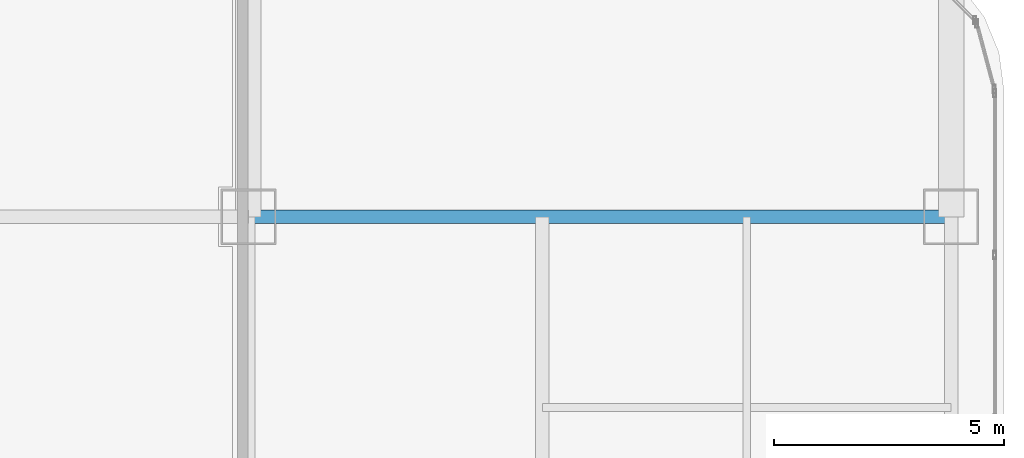
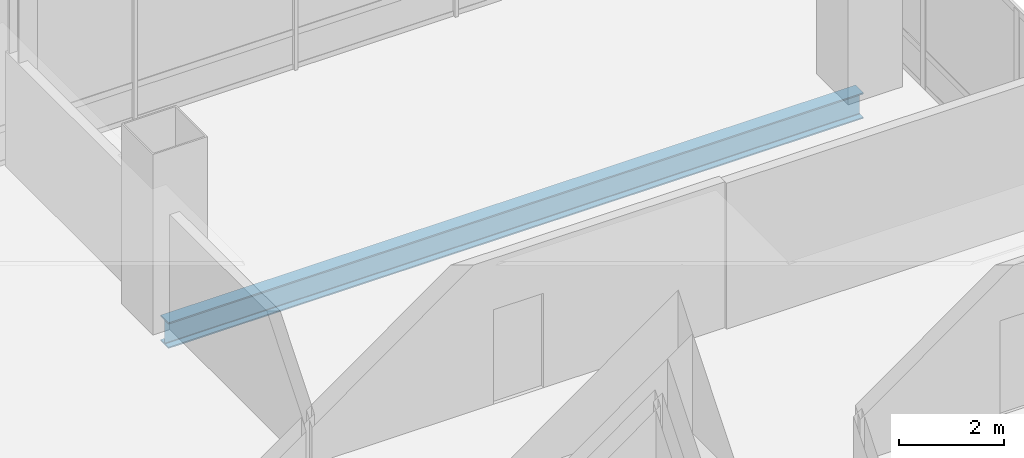
# One storey, part 28 of 41: 1 beam.
"""IFC4 building model written with IfcOpenShell, lengths in metres."""

from ifc_helpers import new_model, si_unit, direction, frame, origin, origin_2d, place, context, subcontext, project, spatial, i_section, extrude, material, material_profile, profile_set, type_object, element, save


model = new_model("IFC4")

# Units and contexts
model_context = context("Model", 3, precision=1e-05, world=origin(), true_north=direction((0.0, 1.0)))
body_context = subcontext(model_context, "Body", "Model", "MODEL_VIEW")
ifc_project = project(units=[si_unit("LENGTHUNIT", "METRE"), si_unit("AREAUNIT", "SQUARE_METRE"), si_unit("VOLUMEUNIT", "CUBIC_METRE"), si_unit("PLANEANGLEUNIT", "RADIAN"), si_unit("MASSUNIT", "GRAM", prefix="KILO")], contexts=[model_context])

# Site, building, storey
site_placement = place(None, origin())
site = spatial("IfcSite", under=ifc_project, at=site_placement, CompositionType="ELEMENT")
building_placement = place(site_placement, origin())
building = spatial("IfcBuilding", under=site, at=building_placement, Name="Punatoya Terracotta Tower", CompositionType="ELEMENT")
storey_placement = place(building_placement, frame((0.0, 0.0, 288.0)))
storey = spatial("IfcBuildingStorey", under=building, at=storey_placement, Name="L68", CompositionType="ELEMENT", Elevation=288.0)

# Beam
ifc_material = material(Name="Steel S355", Category="steel")
ifc_material_profile = material_profile(ifc_material, i_section(OverallWidth=0.300048828125, OverallDepth=0.60009765625, WebThickness=0.015380859375, FlangeThickness=0.030029296875, FilletRadius=0.01806640625, at=origin_2d()))
ifc_profile_set = profile_set([ifc_material_profile], Name="Steel S355")
beam_type = type_object("IfcBeamType", Name="BM-PRI-600", PredefinedType="BEAM", material=ifc_profile_set)
beam_placement = place(storey_placement, frame((3.800048828125, 17.5, -0.5), z_axis=(1.0, 0.0, 0.0), x_axis=(0.0, 1.0, 0.0)))
element("IfcBeam", 1, at=beam_placement, inside=storey, type_object=beam_type, Name="BM-L68-RG-N3", PredefinedType="BEAM", context=body_context, shape_type="SweptSolid", body=[
    extrude(i_section(OverallWidth=0.300048828125, OverallDepth=0.60009765625, WebThickness=0.015380859375, FlangeThickness=0.030029296875, FilletRadius=0.01806640625, at=origin_2d()), origin(), (0.0, 0.0, 1.0), 15.300048828125),
])

save(model, "model.ifc")
